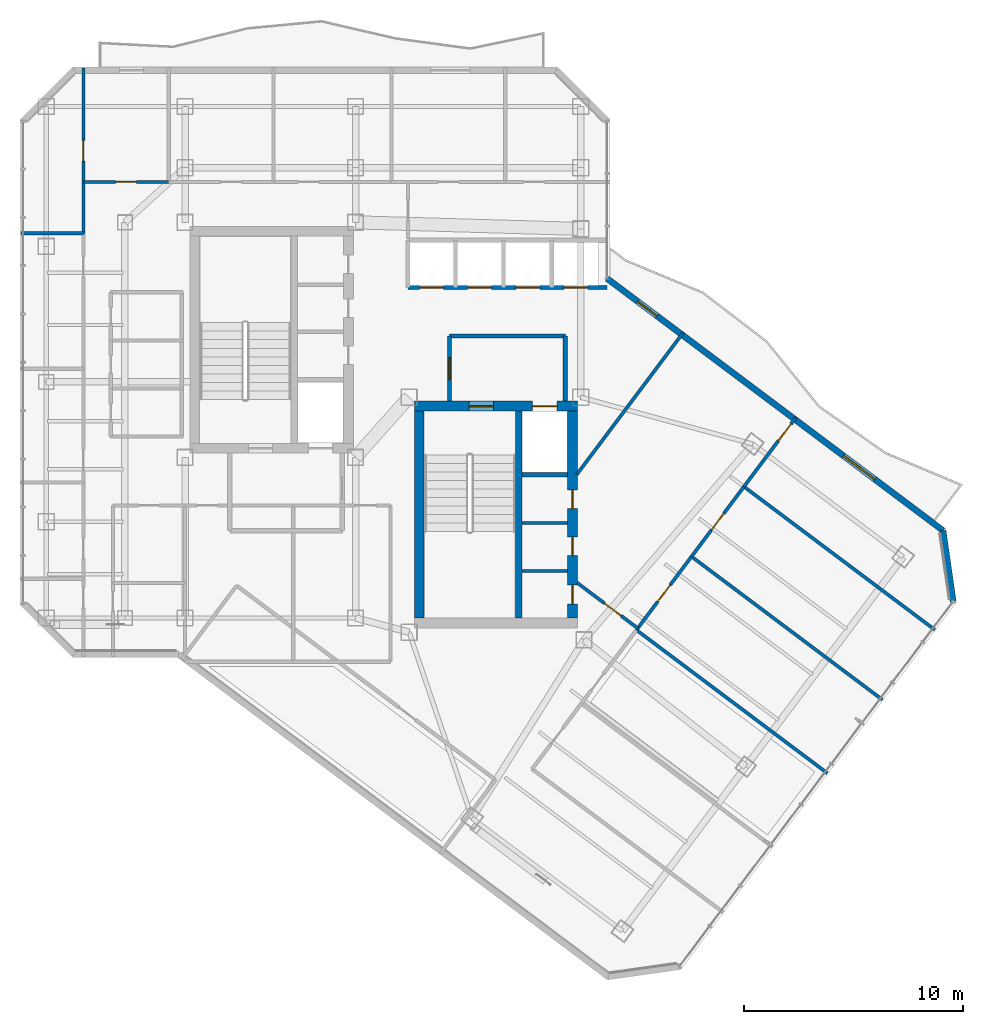
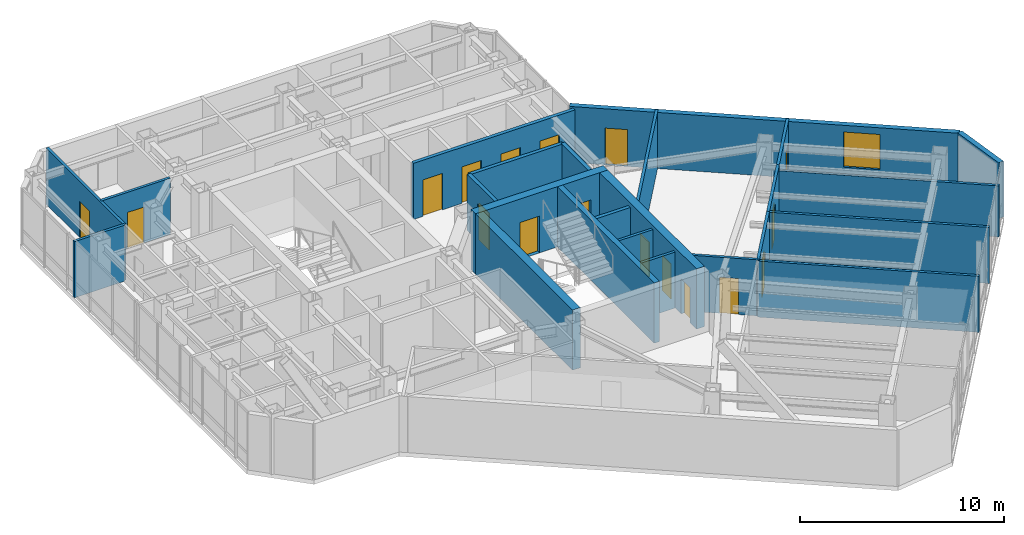
# One storey, part 21 of 26: 24 walls, 17 doors, 1 window, 18 openings.
"""IFC4 building model written with IfcOpenShell, lengths in metres."""

from ifc_helpers import new_model, si_unit, direction, frame, frame_2d, origin, place, context, subcontext, project, spatial, rectangle, extrude, material, layer, layer_set, type_object, element, fill, save


model = new_model("IFC4")

# Units and contexts
model_context = context("Model", 3, precision=1e-05, world=origin(), true_north=direction((0.0, 1.0)))
body_context = subcontext(model_context, "Body", "Model", "MODEL_VIEW")
ifc_project = project(units=[si_unit("LENGTHUNIT", "METRE"), si_unit("AREAUNIT", "SQUARE_METRE"), si_unit("VOLUMEUNIT", "CUBIC_METRE"), si_unit("PLANEANGLEUNIT", "RADIAN"), si_unit("MASSUNIT", "GRAM", prefix="KILO")], contexts=[model_context])

# Site, building, storey
site_placement = place(None, origin())
site = spatial("IfcSite", under=ifc_project, at=site_placement, CompositionType="ELEMENT")
building_placement = place(site_placement, origin())
building = spatial("IfcBuilding", under=site, at=building_placement, Name="Hatsunagi Terrace Concourse", CompositionType="ELEMENT")
storey_placement = place(building_placement, frame((0.0, 0.0, 195.14990234375)))
storey = spatial("IfcBuildingStorey", under=building, at=storey_placement, Name="L51", CompositionType="ELEMENT", Elevation=195.14990234375)

# Wall, openings, doors
ifc_material_1 = material(Name="Concrete Fc42", Category="concrete")
ifc_layer_1 = layer(ifc_material_1, 0.449951171875)
ifc_layer_set_1 = layer_set([ifc_layer_1], Name="CoreShearWall_Fc42_450")
wall_type_1 = type_object("IfcWallType", Name="CoreShearWall_Fc42_450", PredefinedType="SHEAR", material=ifc_layer_set_1)
wall_1_placement = place(storey_placement, frame((36.0400390625, 34.89501953125, 0.0), z_axis=(0.0, 0.0, 1.0), x_axis=(1.0, 0.0, 0.0)))
wall_1 = element("IfcWall", 1, at=wall_1_placement, inside=storey, type_object=wall_type_1, Name="Core B Shear Wall N L51", PredefinedType="SHEAR", context=body_context, shape_type="SweptSolid", body=[
    extrude(rectangle(XDim=7.4599609375, YDim=0.449951171875, at=frame_2d((3.72998046875, 0.0))), origin(), (0.0, 0.0, 1.0), 3.60009765625),
])
opening_1_placement = place(wall_1_placement, frame((2.510009765625, 0.0, 0.0)))
opening_1 = element("IfcOpeningElement", 2, at=opening_1_placement, cuts=wall_1, Name="Opening DR-110S", PredefinedType="OPENING", context=body_context, shape_type="SweptSolid", body=[
    extrude(rectangle(XDim=1.10009765625, YDim=2.199951171875, at=frame_2d((0.550048828125, 1.10009765625))), frame((0.0, 0.23486328125, 0.0), z_axis=(0.0, -1.0, 0.0), x_axis=(1.0, 0.0, 0.0)), (0.0, 0.0, 1.0), 0.469970703125),
])
opening_2_placement = place(wall_1_placement, frame((5.409912109375, 0.0, 0.0)))
opening_2 = element("IfcOpeningElement", 3, at=opening_2_placement, cuts=wall_1, Name="Opening LD-02", PredefinedType="OPENING", context=body_context, shape_type="SweptSolid", body=[
    extrude(rectangle(XDim=1.1201171875, YDim=2.14990234375, at=frame_2d((0.56005859375, 1.074951171875))), frame((0.0, 0.23486328125, 0.0), z_axis=(0.0, -1.0, 0.0), x_axis=(1.0, 0.0, 0.0)), (0.0, 0.0, 1.0), 0.469970703125),
])
ifc_material_2 = material(Name="Stainless steel", Category="steel")
door_type_1 = type_object("IfcDoorType", Name="LiftLandingDoor_LD02", OperationType="SLIDING_TO_RIGHT", PredefinedType="USERDEFINED", material=ifc_material_2)
door_1_placement = place(opening_2_placement, origin())
door_1 = element("IfcDoor", 4, at=door_1_placement, inside=storey, type_object=door_type_1, Name="Lift landing door FF-02 L51", ObjectType="SLIDING_LANDING_DOOR", OperationType="SLIDING_TO_RIGHT", OverallHeight=2.14990234375, OverallWidth=1.1201171875, PredefinedType="USERDEFINED", context=body_context, shape_type="SweptSolid", body=[
    extrude(rectangle(XDim=1.1201171875, YDim=2.14990234375, at=frame_2d((0.56005859375, 1.074951171875))), frame((0.0, 0.02490234375, 0.0), z_axis=(0.0, -1.0, 0.0), x_axis=(1.0, 0.0, 0.0)), (0.0, 0.0, 1.0), 0.050048828125),
])
fill(opening_2, door_1)
ifc_material_3 = material(Name="Painted steel", Category="steel")
door_type_2 = type_object("IfcDoorType", Name="StairFireDoor_EI60_1100", OperationType="NOTDEFINED", PredefinedType="DOOR", material=ifc_material_3)
door_2_placement = place(opening_1_placement, origin())
door_2 = element("IfcDoor", 5, at=door_2_placement, inside=storey, type_object=door_type_2, Name="Stair ST-B Exit Door L51", OperationType="SINGLE_SWING_RIGHT", OverallHeight=2.199951171875, OverallWidth=1.10009765625, PredefinedType="DOOR", context=body_context, shape_type="SweptSolid", body=[
    extrude(rectangle(XDim=1.10009765625, YDim=2.199951171875, at=frame_2d((0.550048828125, 1.10009765625))), frame((0.0, 0.02490234375, 0.0), z_axis=(0.0, -1.0, 0.0), x_axis=(1.0, 0.0, 0.0)), (0.0, 0.0, 1.0), 0.050048828125),
])
fill(opening_1, door_2)

# Wall
wall_2_placement = place(storey_placement, frame((36.264892578125, 25.18994140625, 0.0), z_axis=(0.0, 0.0, 1.0), x_axis=(0.0, 1.0, 0.0)))
element("IfcWall", 6, at=wall_2_placement, inside=storey, type_object=wall_type_1, Name="Core B Shear Wall W L51", PredefinedType="SHEAR", context=body_context, shape_type="SweptSolid", body=[
    extrude(rectangle(XDim=9.47998046875, YDim=0.449951171875, at=frame_2d((4.739990234375, 0.0))), origin(), (0.0, 0.0, 1.0), 3.60009765625),
])

# Wall, openings, doors
wall_3_placement = place(storey_placement, frame((43.27490234375, 25.18994140625, 0.0), z_axis=(0.0, 0.0, 1.0), x_axis=(0.0, 1.0, 0.0)))
wall_3 = element("IfcWall", 7, at=wall_3_placement, inside=storey, type_object=wall_type_1, Name="Core B Shear Wall E L51", PredefinedType="SHEAR", context=body_context, shape_type="SweptSolid", body=[
    extrude(rectangle(XDim=9.47998046875, YDim=0.449951171875, at=frame_2d((4.739990234375, 0.0))), origin(), (0.0, 0.0, 1.0), 3.60009765625),
])
opening_3_placement = place(wall_3_placement, frame((0.659912109375, 0.0, 0.0)))
opening_3 = element("IfcOpeningElement", 8, at=opening_3_placement, cuts=wall_3, Name="Opening DR-085", PredefinedType="OPENING", context=body_context, shape_type="SweptSolid", body=[
    extrude(rectangle(XDim=0.85009765625, YDim=2.080078125, at=frame_2d((0.425048828125, 1.0400390625))), frame((0.0, 0.23486328125, 0.0), z_axis=(0.0, -1.0, 0.0), x_axis=(1.0, 0.0, 0.0)), (0.0, 0.0, 1.0), 0.469970703125),
])
opening_4_placement = place(wall_3_placement, frame((2.860107421875, 0.0, 0.0)))
opening_4 = element("IfcOpeningElement", 9, at=opening_4_placement, cuts=wall_3, Name="Opening DR-085", PredefinedType="OPENING", context=body_context, shape_type="SweptSolid", body=[
    extrude(rectangle(XDim=0.85009765625, YDim=2.080078125, at=frame_2d((0.425048828125, 1.0400390625))), frame((0.0, 0.23486328125, 0.0), z_axis=(0.0, -1.0, 0.0), x_axis=(1.0, 0.0, 0.0)), (0.0, 0.0, 1.0), 0.469970703125),
])
opening_5_placement = place(wall_3_placement, frame((5.010009765625, 0.0, 0.0)))
opening_5 = element("IfcOpeningElement", 10, at=opening_5_placement, cuts=wall_3, Name="Opening DR-085", PredefinedType="OPENING", context=body_context, shape_type="SweptSolid", body=[
    extrude(rectangle(XDim=0.85009765625, YDim=2.080078125, at=frame_2d((0.425048828125, 1.0400390625))), frame((0.0, 0.23486328125, 0.0), z_axis=(0.0, -1.0, 0.0), x_axis=(1.0, 0.0, 0.0)), (0.0, 0.0, 1.0), 0.469970703125),
])
ifc_material_4 = material(Name="Painted steel", Category="steel")
door_type_3 = type_object("IfcDoorType", Name="RiserAccessDoor_EI60_850", OperationType="NOTDEFINED", PredefinedType="DOOR", material=ifc_material_4)
door_3_placement = place(opening_3_placement, origin())
door_3 = element("IfcDoor", 11, at=door_3_placement, inside=storey, type_object=door_type_3, Name="Core B Riser Door L51-1", OperationType="SINGLE_SWING_RIGHT", OverallHeight=2.080078125, OverallWidth=0.85009765625, PredefinedType="DOOR", context=body_context, shape_type="SweptSolid", body=[
    extrude(rectangle(XDim=0.85009765625, YDim=2.080078125, at=frame_2d((0.425048828125, 1.0400390625))), frame((0.0, 0.02490234375, 0.0), z_axis=(0.0, -1.0, 0.0), x_axis=(1.0, 0.0, 0.0)), (0.0, 0.0, 1.0), 0.050048828125),
])
fill(opening_3, door_3)
door_4_placement = place(opening_4_placement, origin())
door_4 = element("IfcDoor", 12, at=door_4_placement, inside=storey, type_object=door_type_3, Name="Core B Riser Door L51-2", OperationType="SINGLE_SWING_RIGHT", OverallHeight=2.080078125, OverallWidth=0.85009765625, PredefinedType="DOOR", context=body_context, shape_type="SweptSolid", body=[
    extrude(rectangle(XDim=0.85009765625, YDim=2.080078125, at=frame_2d((0.425048828125, 1.0400390625))), frame((0.0, 0.02490234375, 0.0), z_axis=(0.0, -1.0, 0.0), x_axis=(1.0, 0.0, 0.0)), (0.0, 0.0, 1.0), 0.050048828125),
])
fill(opening_4, door_4)
door_5_placement = place(opening_5_placement, origin())
door_5 = element("IfcDoor", 13, at=door_5_placement, inside=storey, type_object=door_type_3, Name="Core B Riser Door L51-3", OperationType="SINGLE_SWING_RIGHT", OverallHeight=2.080078125, OverallWidth=0.85009765625, PredefinedType="DOOR", context=body_context, shape_type="SweptSolid", body=[
    extrude(rectangle(XDim=0.85009765625, YDim=2.080078125, at=frame_2d((0.425048828125, 1.0400390625))), frame((0.0, 0.02490234375, 0.0), z_axis=(0.0, -1.0, 0.0), x_axis=(1.0, 0.0, 0.0)), (0.0, 0.0, 1.0), 0.050048828125),
])
fill(opening_5, door_5)

# Walls
ifc_material_5 = material(Name="Concrete Fc48", Category="concrete")
ifc_layer_2 = layer(ifc_material_5, 0.300048828125)
ifc_layer_set_2 = layer_set([ifc_layer_2], Name="CoreStairDivider_Fc48_300")
wall_type_2 = type_object("IfcWallType", Name="CoreStairDivider_Fc48_300", PredefinedType="SHEAR", material=ifc_layer_set_2)
wall_4_placement = place(storey_placement, frame((40.81005859375, 25.18994140625, 0.0), z_axis=(0.0, 0.0, 1.0), x_axis=(0.0, 1.0, 0.0)))
element("IfcWall", 14, at=wall_4_placement, inside=storey, type_object=wall_type_2, Name="Core B Shear Wall D L51", PredefinedType="SHEAR", context=body_context, shape_type="SweptSolid", body=[
    extrude(rectangle(XDim=9.47998046875, YDim=0.300048828125, at=frame_2d((4.739990234375, 0.0))), origin(), (0.0, 0.0, 1.0), 3.60009765625),
])
ifc_material_6 = material(Name="Acoustic mineral board", Category="gypsum")
ifc_layer_3 = layer(ifc_material_6, 0.14990234375)
ifc_layer_set_3 = layer_set([ifc_layer_3], Name="PartitionWall_EI60_150")
wall_type_3 = type_object("IfcWallType", Name="PartitionWall_EI60_150", PredefinedType="PARTITIONING", material=ifc_layer_set_3)
for number, where, z_axis, x_axis, name in (
    (15, (40.969970703125, 27.35009765625, 0.0), (0.0, 0.0, 1.0), (1.0, 0.0, 0.0), "Interior Partition IW-L51-005"),
    (16, (40.969970703125, 29.550048828125, 0.0), (0.0, 0.0, 1.0), (1.0, 0.0, 0.0), "Interior Partition IW-L51-006"),
):
    element("IfcWall", number, at=place(storey_placement, frame(where, z_axis=z_axis, x_axis=x_axis)), inside=storey, type_object=wall_type_3, Name=name, PredefinedType="PARTITIONING", context=body_context, shape_type="SweptSolid", body=[
        extrude(rectangle(XDim=2.080078125, YDim=0.14990234375, at=frame_2d((1.0400390625, 0.0))), origin(), (0.0, 0.0, 1.0), 3.35009765625),
    ])
wall_5_placement = place(storey_placement, frame((18.0400390625, 42.800048828125, 0.0), z_axis=(0.0, 0.0, 1.0), x_axis=(1.0, 0.0, 0.0)))
element("IfcWall", 17, at=wall_5_placement, inside=storey, type_object=wall_type_3, Name="Interior Partition IW-L51-040", PredefinedType="PARTITIONING", context=body_context, shape_type="SweptSolid", body=[
    extrude(rectangle(XDim=2.85986328125, YDim=0.14990234375, at=frame_2d((1.429931640625, 0.0))), origin(), (0.0, 0.0, 1.0), 3.35009765625),
])

# Wall, opening, door
wall_6_placement = place(storey_placement, frame((20.89990234375, 42.800048828125, 0.0), z_axis=(0.0, 0.0, 1.0), x_axis=(0.0, 1.0, 0.0)))
wall_6 = element("IfcWall", 18, at=wall_6_placement, inside=storey, type_object=wall_type_3, Name="Interior Partition IW-L51-042", PredefinedType="PARTITIONING", context=body_context, shape_type="SweptSolid", body=[
    extrude(rectangle(XDim=7.56005859375, YDim=0.14990234375, at=frame_2d((3.780029296875, 0.0))), origin(), (0.0, 0.0, 1.0), 3.35009765625),
])
opening_6_placement = place(wall_6_placement, frame((3.304931640625, 0.0, 0.0)))
opening_6 = element("IfcOpeningElement", 19, at=opening_6_placement, cuts=wall_6, Name="Opening DR-095", PredefinedType="OPENING", context=body_context, shape_type="SweptSolid", body=[
    extrude(rectangle(XDim=0.949951171875, YDim=2.14990234375, at=frame_2d((0.47509765625, 1.074951171875))), frame((0.0, 0.0849609375, 0.0), z_axis=(0.0, -1.0, 0.0), x_axis=(1.0, 0.0, 0.0)), (0.0, 0.0, 1.0), 0.169921875),
])
ifc_material_7 = material(Name="Hardwood timber", Category="wood")
door_type_4 = type_object("IfcDoorType", Name="InteriorSuiteDoor_EI30_950", OperationType="NOTDEFINED", PredefinedType="DOOR", material=ifc_material_7)
door_6_placement = place(opening_6_placement, origin())
door_6 = element("IfcDoor", 20, at=door_6_placement, inside=storey, type_object=door_type_4, Name="Boardroom L51-OW5 Door", OperationType="SINGLE_SWING_RIGHT", OverallHeight=2.14990234375, OverallWidth=0.949951171875, PredefinedType="DOOR", context=body_context, shape_type="SweptSolid", body=[
    extrude(rectangle(XDim=0.949951171875, YDim=2.14990234375, at=frame_2d((0.47509765625, 1.074951171875))), frame((0.0, 0.02490234375, 0.0), z_axis=(0.0, -1.0, 0.0), x_axis=(1.0, 0.0, 0.0)), (0.0, 0.0, 1.0), 0.050048828125),
])
fill(opening_6, door_6)

wall_7_placement = place(storey_placement, frame((20.89990234375, 45.14990234375, 0.0), z_axis=(0.0, 0.0, 1.0), x_axis=(1.0, 0.0, 0.0)))
wall_7 = element("IfcWall", 21, at=wall_7_placement, inside=storey, type_object=wall_type_3, Name="Interior Partition IW-L51-043", PredefinedType="PARTITIONING", context=body_context, shape_type="SweptSolid", body=[
    extrude(rectangle(XDim=3.900146484375, YDim=0.14990234375, at=frame_2d((1.9501953125, 0.0))), origin(), (0.0, 0.0, 1.0), 3.35009765625),
])
opening_7_placement = place(wall_7_placement, frame((1.47509765625, 0.0, 0.0)))
opening_7 = element("IfcOpeningElement", 22, at=opening_7_placement, cuts=wall_7, Name="Opening DR-095", PredefinedType="OPENING", context=body_context, shape_type="SweptSolid", body=[
    extrude(rectangle(XDim=0.949951171875, YDim=2.14990234375, at=frame_2d((0.47509765625, 1.074951171875))), frame((0.0, 0.0849609375, 0.0), z_axis=(0.0, -1.0, 0.0), x_axis=(1.0, 0.0, 0.0)), (0.0, 0.0, 1.0), 0.169921875),
])
door_7_placement = place(opening_7_placement, origin())
door_7 = element("IfcDoor", 23, at=door_7_placement, inside=storey, type_object=door_type_4, Name="Executive Briefing Room L51-ON1 Door", OperationType="SINGLE_SWING_LEFT", OverallHeight=2.14990234375, OverallWidth=0.949951171875, PredefinedType="DOOR", context=body_context, shape_type="SweptSolid", body=[
    extrude(rectangle(XDim=0.949951171875, YDim=2.14990234375, at=frame_2d((0.47509765625, 1.074951171875))), frame((0.0, 0.02490234375, 0.0), z_axis=(0.0, -1.0, 0.0), x_axis=(1.0, 0.0, 0.0)), (0.0, 0.0, 1.0), 0.050048828125),
])
fill(opening_7, door_7)

# Walls
for number, where, z_axis, x_axis, name in (
    (24, (46.199951171875, 24.64990234375, 0.0), (0.0, 0.0, 1.0), (0.800005370633, -0.599992839089, 0.0), "Interior Partition IW-L51-055"),
    (25, (48.719970703125, 28.010009765625, 0.0), (0.0, 0.0, 1.0), (0.800005370633, -0.599992839089, 0.0), "Interior Partition IW-L51-057"),
):
    element("IfcWall", number, at=place(storey_placement, frame(where, z_axis=z_axis, x_axis=x_axis)), inside=storey, type_object=wall_type_3, Name=name, PredefinedType="PARTITIONING", context=body_context, shape_type="SweptSolid", body=[
        extrude(rectangle(XDim=10.909912109375, YDim=0.14990234375, at=frame_2d((5.455078125, 0.0))), origin(), (0.0, 0.0, 1.0), 3.35009765625),
    ])

# Wall, opening, door
wall_8_placement = place(storey_placement, frame((46.199951171875, 24.64990234375, 0.0), z_axis=(0.0, 0.0, 1.0), x_axis=(0.59999069958, 0.80000697523, 0.0)))
wall_8 = element("IfcWall", 26, at=wall_8_placement, inside=storey, type_object=wall_type_3, Name="Interior Partition IW-L51-058", PredefinedType="PARTITIONING", context=body_context, shape_type="SweptSolid", body=[
    extrude(rectangle(XDim=4.2001953125, YDim=0.14990234375, at=frame_2d((2.10009765625, 0.0))), origin(), (0.0, 0.0, 1.0), 3.35009765625),
])
opening_8_placement = place(wall_8_placement, frame((1.625, 0.0, 0.0)))
opening_8 = element("IfcOpeningElement", 27, at=opening_8_placement, cuts=wall_8, Name="Opening DR-095", PredefinedType="OPENING", context=body_context, shape_type="SweptSolid", body=[
    extrude(rectangle(XDim=0.949951171875, YDim=2.14990234375, at=frame_2d((0.47509765625, 1.074951171875))), frame((0.0, 0.0849609375, 0.0), z_axis=(0.0, -1.0, 0.0), x_axis=(1.0, 0.0, 0.0)), (0.0, 0.0, 1.0), 0.169921875),
])
door_8_placement = place(opening_8_placement, origin())
door_8 = element("IfcDoor", 28, at=door_8_placement, inside=storey, type_object=door_type_4, Name="Focus Room L51-OSE3 Door", OperationType="SINGLE_SWING_RIGHT", OverallHeight=2.14990234375, OverallWidth=0.949951171875, PredefinedType="DOOR", context=body_context, shape_type="SweptSolid", body=[
    extrude(rectangle(XDim=0.949951171875, YDim=2.14990234375, at=frame_2d((0.47509765625, 1.074951171875))), frame((0.0, 0.02490234375, 0.0), z_axis=(0.0, -1.0, 0.0), x_axis=(1.0, 0.0, 0.0)), (0.0, 0.0, 1.0), 0.050048828125),
])
fill(opening_8, door_8)

# Wall
wall_9_placement = place(storey_placement, frame((51.1201171875, 31.2099609375, 0.0), z_axis=(0.0, 0.0, 1.0), x_axis=(0.799997314611, -0.600003580502, 0.0)))
element("IfcWall", 29, at=wall_9_placement, inside=storey, type_object=wall_type_3, Name="Interior Partition IW-L51-059", PredefinedType="PARTITIONING", context=body_context, shape_type="SweptSolid", body=[
    extrude(rectangle(XDim=10.90966796875, YDim=0.14990234375, at=frame_2d((5.454833984375, 0.0))), origin(), (0.0, 0.0, 1.0), 3.045166015625),
])

# Wall, opening, door
wall_10_placement = place(storey_placement, frame((48.719970703125, 28.010009765625, 0.0), z_axis=(0.0, 0.0, 1.0), x_axis=(0.600029296115, 0.799978027076, 0.0)))
wall_10 = element("IfcWall", 30, at=wall_10_placement, inside=storey, type_object=wall_type_3, Name="Interior Partition IW-L51-060", PredefinedType="PARTITIONING", context=body_context, shape_type="SweptSolid", body=[
    extrude(rectangle(XDim=4.0, YDim=0.14990234375, at=frame_2d((2.0, 0.0))), origin(), (0.0, 0.0, 1.0), 3.35009765625),
])
opening_9_placement = place(wall_10_placement, frame((1.52490234375, 0.0, 0.0)))
opening_9 = element("IfcOpeningElement", 31, at=opening_9_placement, cuts=wall_10, Name="Opening DR-095", PredefinedType="OPENING", context=body_context, shape_type="SweptSolid", body=[
    extrude(rectangle(XDim=0.949951171875, YDim=2.14990234375, at=frame_2d((0.47509765625, 1.074951171875))), frame((0.0, 0.0849609375, 0.0), z_axis=(0.0, -1.0, 0.0), x_axis=(1.0, 0.0, 0.0)), (0.0, 0.0, 1.0), 0.169921875),
])
door_9_placement = place(opening_9_placement, origin())
door_9 = element("IfcDoor", 32, at=door_9_placement, inside=storey, type_object=door_type_4, Name="Executive Office L51-OSE4 Door", OperationType="SINGLE_SWING_RIGHT", OverallHeight=2.14990234375, OverallWidth=0.949951171875, PredefinedType="DOOR", context=body_context, shape_type="SweptSolid", body=[
    extrude(rectangle(XDim=0.949951171875, YDim=2.14990234375, at=frame_2d((0.47509765625, 1.074951171875))), frame((0.0, 0.02490234375, 0.0), z_axis=(0.0, -1.0, 0.0), x_axis=(1.0, 0.0, 0.0)), (0.0, 0.0, 1.0), 0.050048828125),
])
fill(opening_9, door_9)

wall_11_placement = place(storey_placement, frame((51.1201171875, 31.2099609375, 0.0), z_axis=(0.0, 0.0, 1.0), x_axis=(0.6, 0.8, 0.0)))
wall_11 = element("IfcWall", 33, at=wall_11_placement, inside=storey, type_object=wall_type_3, Name="Interior Partition IW-L51-061", PredefinedType="PARTITIONING", context=body_context, shape_type="SweptSolid", body=[
    extrude(rectangle(XDim=3.9599609375, YDim=0.14990234375, at=frame_2d((1.97998046875, 0.0))), origin(), (0.0, 0.0, 1.0), 3.35009765625),
])
opening_10_placement = place(wall_11_placement, frame((2.6298828125, 0.0, 0.0)))
opening_10 = element("IfcOpeningElement", 34, at=opening_10_placement, cuts=wall_11, Name="Opening DR-095", PredefinedType="OPENING", context=body_context, shape_type="SweptSolid", body=[
    extrude(rectangle(XDim=0.949951171875, YDim=2.14990234375, at=frame_2d((0.47509765625, 1.074951171875))), frame((0.0, 0.0849609375, 0.0), z_axis=(0.0, -1.0, 0.0), x_axis=(1.0, 0.0, 0.0)), (0.0, 0.0, 1.0), 0.169921875),
])
door_10_placement = place(opening_10_placement, origin())
door_10 = element("IfcDoor", 35, at=door_10_placement, inside=storey, type_object=door_type_4, Name="Focus Room L51-OSE5 Door", OperationType="SINGLE_SWING_RIGHT", OverallHeight=2.14990234375, OverallWidth=0.949951171875, PredefinedType="DOOR", context=body_context, shape_type="SweptSolid", body=[
    extrude(rectangle(XDim=0.949951171875, YDim=2.14990234375, at=frame_2d((0.47509765625, 1.074951171875))), frame((0.0, 0.02490234375, 0.0), z_axis=(0.0, -1.0, 0.0), x_axis=(1.0, 0.0, 0.0)), (0.0, 0.0, 1.0), 0.050048828125),
])
fill(opening_10, door_10)

wall_12_placement = place(storey_placement, frame((43.47998046875, 26.81494140625, 0.0), z_axis=(0.0, 0.0, 1.0), x_axis=(0.800008430676, -0.599988758934, 0.0)))
wall_12 = element("IfcWall", 36, at=wall_12_placement, inside=storey, type_object=wall_type_3, Name="Interior Partition IW-L51-062", PredefinedType="PARTITIONING", context=body_context, shape_type="SweptSolid", body=[
    extrude(rectangle(XDim=3.47509765625, YDim=0.14990234375, at=frame_2d((1.737548828125, 0.0))), origin(), (0.0, 0.0, 1.0), 3.35009765625),
])
opening_11_placement = place(wall_12_placement, frame((1.580078125, 0.0, 0.0)))
opening_11 = element("IfcOpeningElement", 37, at=opening_11_placement, cuts=wall_12, Name="Opening DR-095", PredefinedType="OPENING", context=body_context, shape_type="SweptSolid", body=[
    extrude(rectangle(XDim=0.949951171875, YDim=2.14990234375, at=frame_2d((0.47509765625, 1.074951171875))), frame((0.0, 0.0849609375, 0.0), z_axis=(0.0, -1.0, 0.0), x_axis=(1.0, 0.0, 0.0)), (0.0, 0.0, 1.0), 0.169921875),
])
door_11_placement = place(opening_11_placement, origin())
door_11 = element("IfcDoor", 38, at=door_11_placement, inside=storey, type_object=door_type_4, Name="Collaboration Lounge L51-OSEN1 Door", OperationType="SINGLE_SWING_LEFT", OverallHeight=2.14990234375, OverallWidth=0.949951171875, PredefinedType="DOOR", context=body_context, shape_type="SweptSolid", body=[
    extrude(rectangle(XDim=0.949951171875, YDim=2.14990234375, at=frame_2d((0.47509765625, 1.074951171875))), frame((0.0, 0.02490234375, 0.0), z_axis=(0.0, -1.0, 0.0), x_axis=(1.0, 0.0, 0.0)), (0.0, 0.0, 1.0), 0.050048828125),
])
fill(opening_11, door_11)

# Walls
wall_13_placement = place(storey_placement, frame((43.47998046875, 31.77294921875, 0.0), z_axis=(0.0, 0.0, 1.0), x_axis=(0.599971041729, 0.800021717885, 0.0)))
element("IfcWall", 39, at=wall_13_placement, inside=storey, type_object=wall_type_3, Name="Interior Partition IW-L51-063", PredefinedType="PARTITIONING", context=body_context, shape_type="SweptSolid", body=[
    extrude(rectangle(XDim=8.09375, YDim=0.14990234375, at=frame_2d((4.046875, 0.0))), origin(), (0.0, 0.0, 1.0), 3.35009765625),
])
ifc_material_8 = material(Name="Acoustic mineral board", Category="gypsum")
ifc_layer_4 = layer(ifc_material_8, 0.199951171875)
ifc_layer_set_4 = layer_set([ifc_layer_4], Name="ShaftWall_EI120_200")
wall_type_4 = type_object("IfcWallType", Name="ShaftWall_EI120_200", PredefinedType="STANDARD", material=ifc_layer_set_4)
wall_14_placement = place(storey_placement, frame((40.969970703125, 31.760009765625, 0.0), z_axis=(0.0, 0.0, 1.0), x_axis=(1.0, 0.0, 0.0)))
element("IfcWall", 40, at=wall_14_placement, inside=storey, type_object=wall_type_4, Name="Interior Partition IW-L51-004", PredefinedType="STANDARD", context=body_context, shape_type="SweptSolid", body=[
    extrude(rectangle(XDim=2.080078125, YDim=0.199951171875, at=frame_2d((1.0400390625, 0.0))), origin(), (0.0, 0.0, 1.0), 3.35009765625),
])
wall_15_placement = place(storey_placement, frame((37.64990234375, 38.10009765625, 0.0), z_axis=(0.0, 0.0, 1.0), x_axis=(1.0, 0.0, 0.0)))
element("IfcWall", 41, at=wall_15_placement, inside=storey, type_object=wall_type_4, Name="Interior Partition IW-L51-010", PredefinedType="STANDARD", context=body_context, shape_type="SweptSolid", body=[
    extrude(rectangle(XDim=5.300048828125, YDim=0.199951171875, at=frame_2d((2.64990234375, 0.0))), origin(), (0.0, 0.0, 1.0), 3.35009765625),
])
wall_16_placement = place(storey_placement, frame((42.949951171875, 35.1201171875, 0.0), z_axis=(0.0, 0.0, 1.0), x_axis=(0.0, 1.0, 0.0)))
element("IfcWall", 42, at=wall_16_placement, inside=storey, type_object=wall_type_4, Name="Interior Partition IW-L51-011", PredefinedType="STANDARD", context=body_context, shape_type="SweptSolid", body=[
    extrude(rectangle(XDim=2.97998046875, YDim=0.199951171875, at=frame_2d((1.489990234375, 0.0))), origin(), (0.0, 0.0, 1.0), 3.35009765625),
])

# Wall, opening, door
wall_17_placement = place(storey_placement, frame((37.64990234375, 35.1201171875, 0.0), z_axis=(0.0, 0.0, 1.0), x_axis=(0.0, 1.0, 0.0)))
wall_17 = element("IfcWall", 43, at=wall_17_placement, inside=storey, type_object=wall_type_4, Name="Interior Partition IW-L51-012", PredefinedType="STANDARD", context=body_context, shape_type="SweptSolid", body=[
    extrude(rectangle(XDim=2.97998046875, YDim=0.199951171875, at=frame_2d((1.489990234375, 0.0))), origin(), (0.0, 0.0, 1.0), 3.35009765625),
])
opening_12_placement = place(wall_17_placement, frame((0.989990234375, 0.0, 0.0)))
opening_12 = element("IfcOpeningElement", 44, at=opening_12_placement, cuts=wall_17, Name="Opening DR-100F", PredefinedType="OPENING", context=body_context, shape_type="SweptSolid", body=[
    extrude(rectangle(XDim=1.0, YDim=2.199951171875, at=frame_2d((0.5, 1.10009765625))), frame((0.0, 0.10986328125, 0.0), z_axis=(0.0, -1.0, 0.0), x_axis=(1.0, 0.0, 0.0)), (0.0, 0.0, 1.0), 0.219970703125),
])
ifc_material_9 = material(Name="Painted steel", Category="steel")
door_type_5 = type_object("IfcDoorType", Name="FireDoor_EI60_1000", OperationType="NOTDEFINED", PredefinedType="DOOR", material=ifc_material_9)
door_12_placement = place(opening_12_placement, origin())
door_12 = element("IfcDoor", 45, at=door_12_placement, inside=storey, type_object=door_type_5, Name="Firefighting Lobby B Door L51", OperationType="SINGLE_SWING_RIGHT", OverallHeight=2.199951171875, OverallWidth=1.0, PredefinedType="DOOR", context=body_context, shape_type="SweptSolid", body=[
    extrude(rectangle(XDim=1.0, YDim=2.199951171875, at=frame_2d((0.5, 1.10009765625))), frame((0.0, 0.02490234375, 0.0), z_axis=(0.0, -1.0, 0.0), x_axis=(1.0, 0.0, 0.0)), (0.0, 0.0, 1.0), 0.050048828125),
])
fill(opening_12, door_12)

# Wall, openings, doors
wall_18_placement = place(storey_placement, frame((35.75, 40.320068359375, 0.0), z_axis=(0.0, 0.0, 1.0), x_axis=(1.0, 0.0, 0.0)))
wall_18 = element("IfcWall", 46, at=wall_18_placement, inside=storey, type_object=wall_type_4, Name="Interior Partition IW-L51-018", PredefinedType="STANDARD", context=body_context, shape_type="SweptSolid", body=[
    extrude(rectangle(XDim=9.110107421875, YDim=0.199951171875, at=frame_2d((4.55517578125, 0.0))), origin(), (0.0, 0.0, 1.0), 3.35009765625),
])
opening_13_placement = place(wall_18_placement, frame((0.530029296875, 0.0, 0.0)))
opening_13 = element("IfcOpeningElement", 47, at=opening_13_placement, cuts=wall_18, Name="Opening LD-04", PredefinedType="OPENING", context=body_context, shape_type="SweptSolid", body=[
    extrude(rectangle(XDim=1.10009765625, YDim=2.179931640625, at=frame_2d((0.550048828125, 1.08984375))), frame((0.0, 0.10986328125, 0.0), z_axis=(0.0, -1.0, 0.0), x_axis=(1.0, 0.0, 0.0)), (0.0, 0.0, 1.0), 0.219970703125),
])
opening_14_placement = place(wall_18_placement, frame((2.72998046875, 0.0, 0.0)))
opening_14 = element("IfcOpeningElement", 48, at=opening_14_placement, cuts=wall_18, Name="Opening LD-04", PredefinedType="OPENING", context=body_context, shape_type="SweptSolid", body=[
    extrude(rectangle(XDim=1.10009765625, YDim=2.179931640625, at=frame_2d((0.550048828125, 1.08984375))), frame((0.0, 0.10986328125, 0.0), z_axis=(0.0, -1.0, 0.0), x_axis=(1.0, 0.0, 0.0)), (0.0, 0.0, 1.0), 0.219970703125),
])
opening_15_placement = place(wall_18_placement, frame((4.929931640625, 0.0, 0.0)))
opening_15 = element("IfcOpeningElement", 49, at=opening_15_placement, cuts=wall_18, Name="Opening LD-04", PredefinedType="OPENING", context=body_context, shape_type="SweptSolid", body=[
    extrude(rectangle(XDim=1.10009765625, YDim=2.179931640625, at=frame_2d((0.550048828125, 1.08984375))), frame((0.0, 0.10986328125, 0.0), z_axis=(0.0, -1.0, 0.0), x_axis=(1.0, 0.0, 0.0)), (0.0, 0.0, 1.0), 0.219970703125),
])
opening_16_placement = place(wall_18_placement, frame((7.1298828125, 0.0, 0.0)))
opening_16 = element("IfcOpeningElement", 50, at=opening_16_placement, cuts=wall_18, Name="Opening LD-04", PredefinedType="OPENING", context=body_context, shape_type="SweptSolid", body=[
    extrude(rectangle(XDim=1.10009765625, YDim=2.179931640625, at=frame_2d((0.550048828125, 1.08984375))), frame((0.0, 0.10986328125, 0.0), z_axis=(0.0, -1.0, 0.0), x_axis=(1.0, 0.0, 0.0)), (0.0, 0.0, 1.0), 0.219970703125),
])
ifc_material_10 = material(Name="Stainless steel", Category="steel")
door_type_6 = type_object("IfcDoorType", Name="LiftLandingDoor_LD04", OperationType="SLIDING_TO_RIGHT", PredefinedType="USERDEFINED", material=ifc_material_10)
door_13_placement = place(opening_13_placement, origin())
door_13 = element("IfcDoor", 51, at=door_13_placement, inside=storey, type_object=door_type_6, Name="Lift landing door PL-05 L51", ObjectType="SLIDING_LANDING_DOOR", OperationType="SLIDING_TO_RIGHT", OverallHeight=2.179931640625, OverallWidth=1.10009765625, PredefinedType="USERDEFINED", context=body_context, shape_type="SweptSolid", body=[
    extrude(rectangle(XDim=1.10009765625, YDim=2.179931640625, at=frame_2d((0.550048828125, 1.08984375))), frame((0.0, 0.02490234375, 0.0), z_axis=(0.0, -1.0, 0.0), x_axis=(1.0, 0.0, 0.0)), (0.0, 0.0, 1.0), 0.050048828125),
])
fill(opening_13, door_13)
door_14_placement = place(opening_14_placement, origin())
door_14 = element("IfcDoor", 52, at=door_14_placement, inside=storey, type_object=door_type_6, Name="Lift landing door PL-06 L51", ObjectType="SLIDING_LANDING_DOOR", OperationType="SLIDING_TO_RIGHT", OverallHeight=2.179931640625, OverallWidth=1.10009765625, PredefinedType="USERDEFINED", context=body_context, shape_type="SweptSolid", body=[
    extrude(rectangle(XDim=1.10009765625, YDim=2.179931640625, at=frame_2d((0.550048828125, 1.08984375))), frame((0.0, 0.02490234375, 0.0), z_axis=(0.0, -1.0, 0.0), x_axis=(1.0, 0.0, 0.0)), (0.0, 0.0, 1.0), 0.050048828125),
])
fill(opening_14, door_14)
door_15_placement = place(opening_15_placement, origin())
door_15 = element("IfcDoor", 53, at=door_15_placement, inside=storey, type_object=door_type_6, Name="Lift landing door PL-07 L51", ObjectType="SLIDING_LANDING_DOOR", OperationType="SLIDING_TO_RIGHT", OverallHeight=2.179931640625, OverallWidth=1.10009765625, PredefinedType="USERDEFINED", context=body_context, shape_type="SweptSolid", body=[
    extrude(rectangle(XDim=1.10009765625, YDim=2.179931640625, at=frame_2d((0.550048828125, 1.08984375))), frame((0.0, 0.02490234375, 0.0), z_axis=(0.0, -1.0, 0.0), x_axis=(1.0, 0.0, 0.0)), (0.0, 0.0, 1.0), 0.050048828125),
])
fill(opening_15, door_15)
door_16_placement = place(opening_16_placement, origin())
door_16 = element("IfcDoor", 54, at=door_16_placement, inside=storey, type_object=door_type_6, Name="Lift landing door PL-08 L51", ObjectType="SLIDING_LANDING_DOOR", OperationType="SLIDING_TO_RIGHT", OverallHeight=2.179931640625, OverallWidth=1.10009765625, PredefinedType="USERDEFINED", context=body_context, shape_type="SweptSolid", body=[
    extrude(rectangle(XDim=1.10009765625, YDim=2.179931640625, at=frame_2d((0.550048828125, 1.08984375))), frame((0.0, 0.02490234375, 0.0), z_axis=(0.0, -1.0, 0.0), x_axis=(1.0, 0.0, 0.0)), (0.0, 0.0, 1.0), 0.050048828125),
])
fill(opening_16, door_16)

# Wall, openings, door, window
ifc_material_11 = material(Name="Autoclaved Lightweight Concrete and Terracotta Cladding", Category="masonry")
ifc_layer_5 = layer(ifc_material_11, 0.280029296875)
ifc_layer_set_5 = layer_set([ifc_layer_5], Name="TerracottaSpandrelWall_280")
wall_type_5 = type_object("IfcWallType", Name="TerracottaSpandrelWall_280", PredefinedType="STANDARD", material=ifc_layer_set_5)
wall_19_placement = place(storey_placement, frame((44.860107421875, 40.72998046875, 0.0), z_axis=(0.0, 0.0, 1.0), x_axis=(0.800007624502, -0.599989833863, 0.0)))
wall_19 = element("IfcWall", 55, at=wall_19_placement, inside=storey, type_object=wall_type_5, Name="Exterior Spandrel Wall EW-L51-01", PredefinedType="STANDARD", context=body_context, shape_type="SweptSolid", body=[
    extrude(rectangle(XDim=19.212158203125, YDim=0.280029296875, at=frame_2d((9.60595703125, 0.0))), origin(), (0.0, 0.0, 1.0), 3.35009765625),
])
opening_17_placement = place(wall_19_placement, frame((1.7548828125, 0.0, 0.0)))
opening_17 = element("IfcOpeningElement", 56, at=opening_17_placement, cuts=wall_19, Name="Opening BD-01", PredefinedType="OPENING", context=body_context, shape_type="SweptSolid", body=[
    extrude(rectangle(XDim=1.10009765625, YDim=2.199951171875, at=frame_2d((0.550048828125, 1.10009765625))), frame((0.0, 0.14990234375, 0.0), z_axis=(0.0, -1.0, 0.0), x_axis=(1.0, 0.0, 0.0)), (0.0, 0.0, 1.0), 0.300048828125),
])
opening_18_placement = place(wall_19_placement, frame((13.509033203125, 0.0, 0.85009765625)))
opening_18 = element("IfcOpeningElement", 57, at=opening_18_placement, cuts=wall_19, Name="Opening WIN-03", PredefinedType="OPENING", context=body_context, shape_type="SweptSolid", body=[
    extrude(rectangle(XDim=1.800048828125, YDim=2.10009765625, at=frame_2d((0.89990234375, 1.050048828125))), frame((0.0, 0.14990234375, 0.0), z_axis=(0.0, -1.0, 0.0), x_axis=(1.0, 0.0, 0.0)), (0.0, 0.0, 1.0), 0.300048828125),
])
ifc_material_12 = material(Name="Galvanised Steel and Laminated Safety Glass", Category="steel")
door_type_7 = type_object("IfcDoorType", Name="BalconyTerraceAccessDoor_1100x2200", OperationType="SINGLE_SWING_LEFT", PredefinedType="DOOR", material=ifc_material_12)
door_17_placement = place(opening_17_placement, origin())
door_17 = element("IfcDoor", 58, at=door_17_placement, inside=storey, type_object=door_type_7, Name="Engawa Balcony Door L51-BSE", OperationType="SINGLE_SWING_LEFT", OverallHeight=2.199951171875, OverallWidth=1.10009765625, PredefinedType="DOOR", context=body_context, shape_type="SweptSolid", body=[
    extrude(rectangle(XDim=1.10009765625, YDim=2.199951171875, at=frame_2d((0.550048828125, 1.10009765625))), frame((0.0, 0.02490234375, 0.0), z_axis=(0.0, -1.0, 0.0), x_axis=(1.0, 0.0, 0.0)), (0.0, 0.0, 1.0), 0.050048828125),
])
fill(opening_17, door_17)
ifc_material_13 = material(Name="Thermally Broken Aluminium and Low-E Triple Glazing", Category="aluminium")
window_type = type_object("IfcWindowType", Name="OfficeCornerFeatureWindow_1800x2100", PartitioningType="SINGLE_PANEL", PredefinedType="WINDOW", material=ifc_material_13)
window_placement = place(opening_18_placement, origin())
window = element("IfcWindow", 59, at=window_placement, inside=storey, type_object=window_type, Name="Balcony Daylighting Window L51-01-2", OverallHeight=2.10009765625, OverallWidth=1.800048828125, PartitioningType="SINGLE_PANEL", PredefinedType="WINDOW", context=body_context, shape_type="SweptSolid", body=[
    extrude(rectangle(XDim=1.800048828125, YDim=2.10009765625, at=frame_2d((0.89990234375, 1.050048828125))), frame((0.0, 0.030029296875, 0.0), z_axis=(0.0, -1.0, 0.0), x_axis=(1.0, 0.0, 0.0)), (0.0, 0.0, 1.0), 0.06005859375),
])
fill(opening_18, window)

# Wall
wall_20_placement = place(storey_placement, frame((60.22998046875, 29.202880859375, 0.0), z_axis=(0.0, 0.0, 1.0), x_axis=(0.141296221922, -0.989967361922, 0.0)))
element("IfcWall", 60, at=wall_20_placement, inside=storey, type_object=wall_type_5, Name="Exterior Spandrel Wall EW-L51-02", PredefinedType="STANDARD", context=body_context, shape_type="SweptSolid", body=[
    extrude(rectangle(XDim=3.27783203125, YDim=0.280029296875, at=frame_2d((1.638916015625, 0.0))), origin(), (0.0, 0.0, 1.0), 3.35009765625),
])

save(model, "model.ifc")
